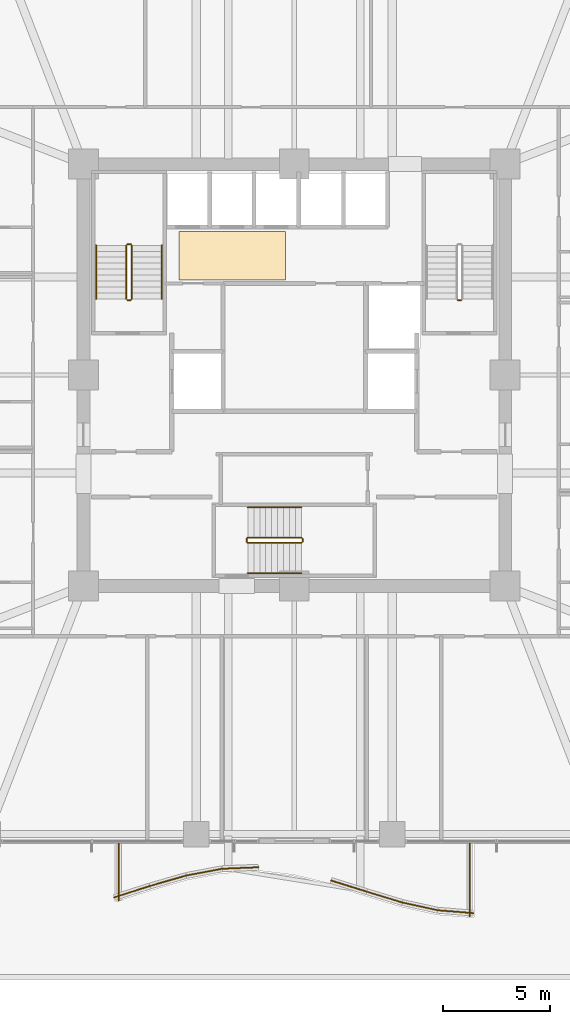
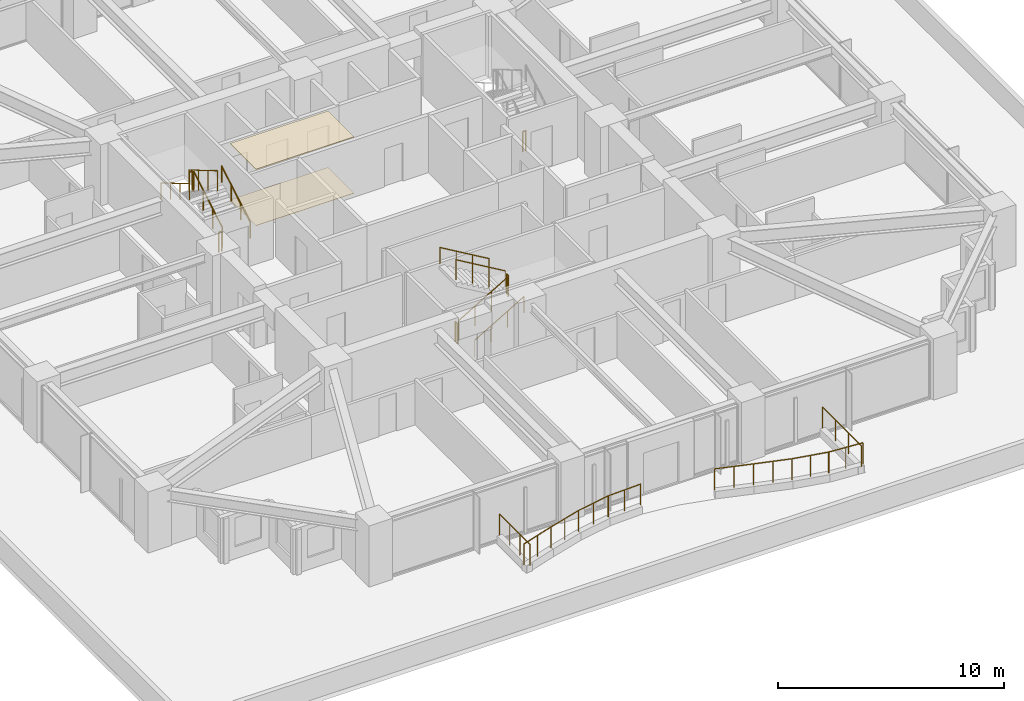
# One storey, part 35 of 36: 23 railings, 2 coverings.
"""IFC4 building model written with IfcOpenShell, lengths in metres."""

from ifc_helpers import new_model, si_unit, direction, frame, origin, origin_2d, place, context, subcontext, project, spatial, polyline, circle, outline, extrude, material, layer, layer_set, type_object, element, save


model = new_model("IFC4")

# Units and contexts
model_context = context("Model", 3, precision=1e-05, world=origin(), true_north=direction((0.0, 1.0)))
body_context = subcontext(model_context, "Body", "Model", "MODEL_VIEW")
ifc_project = project(units=[si_unit("LENGTHUNIT", "METRE"), si_unit("AREAUNIT", "SQUARE_METRE"), si_unit("VOLUMEUNIT", "CUBIC_METRE"), si_unit("PLANEANGLEUNIT", "RADIAN"), si_unit("MASSUNIT", "GRAM", prefix="KILO")], contexts=[model_context])

# Site, building, storey
site_placement = place(None, origin())
site = spatial("IfcSite", under=ifc_project, at=site_placement, CompositionType="ELEMENT")
building_placement = place(site_placement, origin())
building = spatial("IfcBuilding", under=site, at=building_placement, Name="Kolvaren Belvedere", CompositionType="ELEMENT")
storey_placement = place(building_placement, frame((0.0, 0.0, 23.800048828125)))
storey = spatial("IfcBuildingStorey", under=building, at=storey_placement, Name="L06", CompositionType="ELEMENT", Elevation=23.800048828125)

# Coverings
ifc_material_1 = material(Name="Acoustic perforated gypsum board", Category="gypsum")
ifc_layer_1 = layer(ifc_material_1, 0.02490234375)
ifc_layer_set_1 = layer_set([ifc_layer_1], Name="Acoustic perforated gypsum board")
covering_type_1 = type_object("IfcCoveringType", Name="COV-CEIL-GYP", PredefinedType="CEILING", material=ifc_layer_set_1)
covering_1_placement = place(storey_placement, frame((0.0, 0.0, 3.034912109375)))
element("IfcCovering", 1, at=covering_1_placement, inside=storey, type_object=covering_type_1, Name="L06 Lift Lobby Acoustic Baffle Ceiling", PredefinedType="CEILING", context=body_context, shape_type="SweptSolid", body=[
    extrude(outline(polyline([(-5.39990234375, 4.449951171875), (-0.39990234375, 4.449951171875), (-0.39990234375, 6.75), (-5.39990234375, 6.75), (-5.39990234375, 4.449951171875)])), origin(), (0.0, 0.0, 1.0), 0.025146484375),
])
ifc_material_2 = material(Name="Engineered Pacific white oak", Category="timber")
ifc_layer_2 = layer(ifc_material_2, 0.02001953125)
ifc_layer_set_2 = layer_set([ifc_layer_2], Name="Engineered Pacific white oak")
covering_type_2 = type_object("IfcCoveringType", Name="COV-FLR-OAK", PredefinedType="FLOORING", material=ifc_layer_set_2)
covering_2_placement = place(storey_placement, origin())
element("IfcCovering", 2, at=covering_2_placement, inside=storey, type_object=covering_type_2, Name="L06 Lift Lobby Finish Flooring", PredefinedType="FLOORING", context=body_context, shape_type="SweptSolid", body=[
    extrude(outline(polyline([(-5.39990234375, 4.449951171875), (-0.39990234375, 4.449951171875), (-0.39990234375, 6.75), (-5.39990234375, 6.75), (-5.39990234375, 4.449951171875)])), origin(), (0.0, 0.0, 1.0), 0.02001953125),
])

# Railings
ifc_material_3 = material(Name="Anodised pale-metal aluminium & laminated glass guard", Category="aluminium")
railing_type_1 = type_object("IfcRailingType", Name="RL-GUARD-1150", PredefinedType="GUARDRAIL", material=ifc_material_3)
railing_1_placement = place(storey_placement, frame((-8.448486328125, -24.521240234375, 0.35986328125)))
element("IfcRailing", 3, at=railing_1_placement, inside=storey, type_object=railing_type_1, Name="L06 Exterior Deck Safety Guard BAL-S-1", PredefinedType="GUARDRAIL", context=body_context, shape_type="SweptSolid", body=[
    extrude(circle(Radius=0.02392578125, at=origin_2d()), frame((0.0, 0.0, 1.1259765625), z_axis=(0.952661770826, 0.304032153573, 0.0), x_axis=(-0.304032153573, 0.952661770826, 0.0)), (0.0, 0.0, 1.0), 1.763427734375),
    extrude(circle(Radius=0.02099609375, at=origin_2d()), origin(), (0.0, 0.0, 1.0), 1.101806640625),
    extrude(circle(Radius=0.02099609375, at=origin_2d()), frame((0.83984375, 0.26806640625, 0.0)), (0.0, 0.0, 1.0), 1.101806640625),
    extrude(circle(Radius=0.02099609375, at=origin_2d()), frame((1.679931640625, 0.5361328125, 0.0)), (0.0, 0.0, 1.0), 1.101806640625),
])
railing_2_placement = place(storey_placement, frame((-6.764404296875, -23.98388671875, 0.35986328125)))
element("IfcRailing", 4, at=railing_2_placement, inside=storey, type_object=railing_type_1, Name="L06 Exterior Deck Safety Guard BAL-S-2", PredefinedType="GUARDRAIL", context=body_context, shape_type="SweptSolid", body=[
    extrude(circle(Radius=0.02392578125, at=origin_2d()), frame((0.0, 0.0, 1.1259765625), z_axis=(0.96059663827, 0.277946215201, 0.0), x_axis=(-0.277946215201, 0.96059663827, 0.0)), (0.0, 0.0, 1.0), 1.748779296875),
    extrude(circle(Radius=0.02099609375, at=origin_2d()), origin(), (0.0, 0.0, 1.0), 1.101806640625),
    extrude(circle(Radius=0.02099609375, at=origin_2d()), frame((0.83984375, 0.2431640625, 0.0)), (0.0, 0.0, 1.0), 1.101806640625),
    extrude(circle(Radius=0.02099609375, at=origin_2d()), frame((1.679931640625, 0.486083984375, 0.0)), (0.0, 0.0, 1.0), 1.101806640625),
])
railing_3_placement = place(storey_placement, frame((-5.069580078125, -23.494384765625, 0.35986328125)))
element("IfcRailing", 5, at=railing_3_placement, inside=storey, type_object=railing_type_1, Name="L06 Exterior Deck Safety Guard BAL-S-3", PredefinedType="GUARDRAIL", context=body_context, shape_type="SweptSolid", body=[
    extrude(circle(Radius=0.02392578125, at=origin_2d()), frame((0.0, 0.0, 1.1259765625), z_axis=(0.982799348901, 0.18467658162, 0.0), x_axis=(-0.18467658162, 0.982799348901, 0.0)), (0.0, 0.0, 1.0), 1.709228515625),
    extrude(circle(Radius=0.02099609375, at=origin_2d()), origin(), (0.0, 0.0, 1.0), 1.101806640625),
    extrude(circle(Radius=0.02099609375, at=origin_2d()), frame((0.83984375, 0.15771484375, 0.0)), (0.0, 0.0, 1.0), 1.101806640625),
    extrude(circle(Radius=0.02099609375, at=origin_2d()), frame((1.679931640625, 0.315673828125, 0.0)), (0.0, 0.0, 1.0), 1.101806640625),
])
railing_4_placement = place(storey_placement, frame((-3.366455078125, -23.17578125, 0.35986328125)))
element("IfcRailing", 6, at=railing_4_placement, inside=storey, type_object=railing_type_1, Name="L06 Exterior Deck Safety Guard BAL-S-4", PredefinedType="GUARDRAIL", context=body_context, shape_type="SweptSolid", body=[
    extrude(circle(Radius=0.02392578125, at=origin_2d()), frame((0.0, 0.0, 1.1259765625), z_axis=(0.999202581436, 0.039927449854, 0.0), x_axis=(-0.039927449854, 0.999202581436, 0.0)), (0.0, 0.0, 1.0), 1.681396484375),
    extrude(circle(Radius=0.02099609375, at=origin_2d()), origin(), (0.0, 0.0, 1.0), 1.101806640625),
    extrude(circle(Radius=0.02099609375, at=origin_2d()), frame((0.840087890625, 0.03369140625, 0.0)), (0.0, 0.0, 1.0), 1.101806640625),
    extrude(circle(Radius=0.02099609375, at=origin_2d()), frame((1.68017578125, 0.067138671875, 0.0)), (0.0, 0.0, 1.0), 1.101806640625),
])
railing_5_placement = place(storey_placement, frame((1.727783203125, -23.7275390625, 0.35986328125)))
element("IfcRailing", 7, at=railing_5_placement, inside=storey, type_object=railing_type_1, Name="L06 Exterior Deck Safety Guard BAL-S-7", PredefinedType="GUARDRAIL", context=body_context, shape_type="SweptSolid", body=[
    extrude(circle(Radius=0.02392578125, at=origin_2d()), frame((0.0, 0.0, 1.1259765625), z_axis=(0.954069594374, -0.299585061529, 0.0), x_axis=(0.299585061529, 0.954069594374, 0.0)), (0.0, 0.0, 1.0), 1.760986328125),
    extrude(circle(Radius=0.02099609375, at=origin_2d()), origin(), (0.0, 0.0, 1.0), 1.101806640625),
    extrude(circle(Radius=0.02099609375, at=origin_2d()), frame((0.840087890625, -0.263671875, 0.0)), (0.0, 0.0, 1.0), 1.101806640625),
    extrude(circle(Radius=0.02099609375, at=origin_2d()), frame((1.68017578125, -0.527587890625, 0.0)), (0.0, 0.0, 1.0), 1.101806640625),
])
railing_6_placement = place(storey_placement, frame((3.406494140625, -24.254638671875, 0.35986328125)))
element("IfcRailing", 8, at=railing_6_placement, inside=storey, type_object=railing_type_1, Name="L06 Exterior Deck Safety Guard BAL-S-8", PredefinedType="GUARDRAIL", context=body_context, shape_type="SweptSolid", body=[
    extrude(circle(Radius=0.02392578125, at=origin_2d()), frame((0.0, 0.0, 1.1259765625), z_axis=(0.956732787823, -0.290967992577, 0.0), x_axis=(0.290967992577, 0.956732787823, 0.0)), (0.0, 0.0, 1.0), 1.756103515625),
    extrude(circle(Radius=0.02099609375, at=origin_2d()), origin(), (0.0, 0.0, 1.0), 1.101806640625),
    extrude(circle(Radius=0.02099609375, at=origin_2d()), frame((0.840087890625, -0.25537109375, 0.0)), (0.0, 0.0, 1.0), 1.101806640625),
    extrude(circle(Radius=0.02099609375, at=origin_2d()), frame((1.68017578125, -0.510986328125, 0.0)), (0.0, 0.0, 1.0), 1.101806640625),
])
railing_7_placement = place(storey_placement, frame((5.07421875, -24.762451171875, 0.35986328125)))
element("IfcRailing", 9, at=railing_7_placement, inside=storey, type_object=railing_type_1, Name="L06 Exterior Deck Safety Guard BAL-S-9", PredefinedType="GUARDRAIL", context=body_context, shape_type="SweptSolid", body=[
    extrude(circle(Radius=0.02392578125, at=origin_2d()), frame((0.0, 0.0, 1.1259765625), z_axis=(0.976876857632, -0.213802724545, 0.0), x_axis=(0.213802724545, 0.976876857632, 0.0)), (0.0, 0.0, 1.0), 1.7197265625),
    extrude(circle(Radius=0.02099609375, at=origin_2d()), origin(), (0.0, 0.0, 1.0), 1.101806640625),
    extrude(circle(Radius=0.02099609375, at=origin_2d()), frame((0.83984375, -0.183837890625, 0.0)), (0.0, 0.0, 1.0), 1.101806640625),
    extrude(circle(Radius=0.02099609375, at=origin_2d()), frame((1.679931640625, -0.36767578125, 0.0)), (0.0, 0.0, 1.0), 1.101806640625),
])
railing_8_placement = place(storey_placement, frame((6.732666015625, -25.126953125, 0.35986328125)))
element("IfcRailing", 10, at=railing_8_placement, inside=storey, type_object=railing_type_1, Name="L06 Exterior Deck Safety Guard BAL-S-10", PredefinedType="GUARDRAIL", context=body_context, shape_type="SweptSolid", body=[
    extrude(circle(Radius=0.02392578125, at=origin_2d()), frame((0.0, 0.0, 1.1259765625), z_axis=(0.99685522818, -0.079244268248, 0.0), x_axis=(0.079244268248, 0.99685522818, 0.0)), (0.0, 0.0, 1.0), 1.685302734375),
    extrude(circle(Radius=0.02099609375, at=origin_2d()), origin(), (0.0, 0.0, 1.0), 1.101806640625),
    extrude(circle(Radius=0.02099609375, at=origin_2d()), frame((0.83984375, -0.06689453125, 0.0)), (0.0, 0.0, 1.0), 1.101806640625),
    extrude(circle(Radius=0.02099609375, at=origin_2d()), frame((1.679931640625, -0.133544921875, 0.0)), (0.0, 0.0, 1.0), 1.101806640625),
])
railing_9_placement = place(storey_placement, frame((8.239990234375, -25.419921875, 0.35986328125)))
element("IfcRailing", 11, at=railing_9_placement, inside=storey, type_object=railing_type_1, Name="L06 Exterior Deck Safety Guard BAL-S-11", PredefinedType="GUARDRAIL", context=body_context, shape_type="SweptSolid", body=[
    extrude(circle(Radius=0.02392578125, at=origin_2d()), frame((0.0, 0.0, 1.1259765625), z_axis=(0.0, 1.0, 0.0), x_axis=(-1.0, 0.0, 0.0)), (0.0, 0.0, 1.0), 3.419921875),
    extrude(circle(Radius=0.02099609375, at=origin_2d()), origin(), (0.0, 0.0, 1.0), 1.101806640625),
    extrude(circle(Radius=0.02099609375, at=origin_2d()), frame((0.0, 1.139892578125, 0.0)), (0.0, 0.0, 1.0), 1.101806640625),
    extrude(circle(Radius=0.02099609375, at=origin_2d()), frame((0.0, 2.280029296875, 0.0)), (0.0, 0.0, 1.0), 1.101806640625),
    extrude(circle(Radius=0.02099609375, at=origin_2d()), frame((0.0, 3.419921875, 0.0)), (0.0, 0.0, 1.0), 1.101806640625),
])
railing_10_placement = place(storey_placement, frame((-8.239990234375, -22.0, 0.35986328125)))
element("IfcRailing", 12, at=railing_10_placement, inside=storey, type_object=railing_type_1, Name="L06 Exterior Deck Safety Guard BAL-S-22", PredefinedType="GUARDRAIL", context=body_context, shape_type="SweptSolid", body=[
    extrude(circle(Radius=0.02392578125, at=origin_2d()), frame((0.0, 0.0, 1.1259765625), z_axis=(0.0, -1.0, 0.0), x_axis=(1.0, 0.0, 0.0)), (0.0, 0.0, 1.0), 2.673583984375),
    extrude(circle(Radius=0.02099609375, at=origin_2d()), origin(), (0.0, 0.0, 1.0), 1.101806640625),
    extrude(circle(Radius=0.02099609375, at=origin_2d()), frame((0.0, -0.89111328125, 0.0)), (0.0, 0.0, 1.0), 1.101806640625),
    extrude(circle(Radius=0.02099609375, at=origin_2d()), frame((0.0, -1.782470703125, 0.0)), (0.0, 0.0, 1.0), 1.101806640625),
    extrude(circle(Radius=0.02099609375, at=origin_2d()), frame((0.0, -2.673583984375, 0.0)), (0.0, 0.0, 1.0), 1.101806640625),
])
ifc_material_4 = material(Name="Brushed stainless-steel handrail", Category="steel")
railing_type_2 = type_object("IfcRailingType", Name="RL-HANDRAIL-920", PredefinedType="HANDRAIL", material=ifc_material_4)
railing_11_placement = place(storey_placement, frame((-6.2099609375, 3.570068359375, 0.1650390625)))
element("IfcRailing", 13, at=railing_11_placement, inside=storey, type_object=railing_type_2, Name="L06 ST-1 stair handrail 1", PredefinedType="HANDRAIL", context=body_context, shape_type="SweptSolid", body=[
    extrude(circle(Radius=0.02392578125, at=origin_2d()), frame((0.0, 0.0, 0.8759765625), z_axis=(0.0, 0.861560626758, 0.507654692109), x_axis=(-1.0, 0.0, 0.0)), (0.0, 0.0, 1.0), 2.925048828125),
    extrude(circle(Radius=0.02099609375, at=origin_2d()), origin(), (0.0, 0.0, 1.0), 0.851806640625),
    extrude(circle(Radius=0.02099609375, at=origin_2d()), frame((0.0, 0.840087890625, 0.494873046875)), (0.0, 0.0, 1.0), 0.851806640625),
    extrude(circle(Radius=0.02099609375, at=origin_2d()), frame((0.0, 1.679931640625, 0.989990234375)), (0.0, 0.0, 1.0), 0.851806640625),
    extrude(circle(Radius=0.02099609375, at=origin_2d()), frame((0.0, 2.52001953125, 1.48486328125)), (0.0, 0.0, 1.0), 0.851806640625),
])
railing_12_placement = place(storey_placement, frame((-9.300048828125, 6.090087890625, 1.81494140625)))
element("IfcRailing", 14, at=railing_12_placement, inside=storey, type_object=railing_type_2, Name="L06 ST-1 stair handrail 2", PredefinedType="HANDRAIL", context=body_context, shape_type="SweptSolid", body=[
    extrude(circle(Radius=0.02392578125, at=origin_2d()), frame((0.0, 0.0, 0.8759765625), z_axis=(0.0, -0.86152411907, 0.507716645641), x_axis=(1.0, 0.0, 0.0)), (0.0, 0.0, 1.0), 2.925048828125),
    extrude(circle(Radius=0.02099609375, at=origin_2d()), origin(), (0.0, 0.0, 1.0), 0.851806640625),
    extrude(circle(Radius=0.02099609375, at=origin_2d()), frame((0.0, -0.840087890625, 0.4951171875)), (0.0, 0.0, 1.0), 0.851806640625),
    extrude(circle(Radius=0.02099609375, at=origin_2d()), frame((0.0, -1.679931640625, 0.989990234375)), (0.0, 0.0, 1.0), 0.851806640625),
    extrude(circle(Radius=0.02099609375, at=origin_2d()), frame((0.0, -2.52001953125, 1.485107421875)), (0.0, 0.0, 1.0), 0.851806640625),
])
railing_13_placement = place(storey_placement, frame((-2.179931640625, -9.300048828125, 0.1650390625)))
element("IfcRailing", 15, at=railing_13_placement, inside=storey, type_object=railing_type_2, Name="L06 ST-3 stair handrail 1", PredefinedType="HANDRAIL", context=body_context, shape_type="SweptSolid", body=[
    extrude(circle(Radius=0.02392578125, at=origin_2d()), frame((0.0, 0.0, 0.8759765625), z_axis=(0.861560626758, 0.0, 0.507654692109), x_axis=(0.0, 1.0, 0.0)), (0.0, 0.0, 1.0), 2.925048828125),
    extrude(circle(Radius=0.02099609375, at=origin_2d()), origin(), (0.0, 0.0, 1.0), 0.851806640625),
    extrude(circle(Radius=0.02099609375, at=origin_2d()), frame((0.840087890625, 0.0, 0.494873046875)), (0.0, 0.0, 1.0), 0.851806640625),
    extrude(circle(Radius=0.02099609375, at=origin_2d()), frame((1.679931640625, 0.0, 0.989990234375)), (0.0, 0.0, 1.0), 0.851806640625),
    extrude(circle(Radius=0.02099609375, at=origin_2d()), frame((2.52001953125, 0.0, 1.48486328125)), (0.0, 0.0, 1.0), 0.851806640625),
])
railing_14_placement = place(storey_placement, frame((0.340087890625, -6.2099609375, 1.81494140625)))
element("IfcRailing", 16, at=railing_14_placement, inside=storey, type_object=railing_type_2, Name="L06 ST-3 stair handrail 2", PredefinedType="HANDRAIL", context=body_context, shape_type="SweptSolid", body=[
    extrude(circle(Radius=0.02392578125, at=origin_2d()), frame((0.0, 0.0, 0.8759765625), z_axis=(-0.86152411907, 0.0, 0.507716645641), x_axis=(0.0, -1.0, 0.0)), (0.0, 0.0, 1.0), 2.925048828125),
    extrude(circle(Radius=0.02099609375, at=origin_2d()), origin(), (0.0, 0.0, 1.0), 0.851806640625),
    extrude(circle(Radius=0.02099609375, at=origin_2d()), frame((-0.840087890625, 0.0, 0.4951171875)), (0.0, 0.0, 1.0), 0.851806640625),
    extrude(circle(Radius=0.02099609375, at=origin_2d()), frame((-1.679931640625, 0.0, 0.989990234375)), (0.0, 0.0, 1.0), 0.851806640625),
    extrude(circle(Radius=0.02099609375, at=origin_2d()), frame((-2.52001953125, 0.0, 1.485107421875)), (0.0, 0.0, 1.0), 0.851806640625),
])
ifc_material_5 = material(Name="Painted tubular steel stair guard", Category="steel")
railing_type_3 = type_object("IfcRailingType", Name="RL-STGUARD-1100", PredefinedType="GUARDRAIL", material=ifc_material_5)
railing_15_placement = place(storey_placement, frame((-7.6298828125, 3.570068359375, 0.1650390625)))
element("IfcRailing", 17, at=railing_15_placement, inside=storey, type_object=railing_type_3, Name="L06 ST-1 stair guard 1", PredefinedType="GUARDRAIL", context=body_context, shape_type="SweptSolid", body=[
    extrude(circle(Radius=0.02392578125, at=origin_2d()), frame((0.0, 0.0, 1.076171875), z_axis=(0.0, 0.861560626758, 0.507654692109), x_axis=(-1.0, 0.0, 0.0)), (0.0, 0.0, 1.0), 2.925048828125),
    extrude(circle(Radius=0.02099609375, at=origin_2d()), origin(), (0.0, 0.0, 1.0), 1.052001953125),
    extrude(circle(Radius=0.02099609375, at=origin_2d()), frame((0.0, 0.840087890625, 0.494873046875)), (0.0, 0.0, 1.0), 1.052001953125),
    extrude(circle(Radius=0.02099609375, at=origin_2d()), frame((0.0, 1.679931640625, 0.989990234375)), (0.0, 0.0, 1.0), 1.052001953125),
    extrude(circle(Radius=0.02099609375, at=origin_2d()), frame((0.0, 2.52001953125, 1.48486328125)), (0.0, 0.0, 1.0), 1.052001953125),
])
railing_16_placement = place(storey_placement, frame((-7.679931640625, 6.139892578125, 1.64990234375)))
element("IfcRailing", 18, at=railing_16_placement, inside=storey, type_object=railing_type_3, Name="L06 ST-1 stair guard 2", PredefinedType="GUARDRAIL", context=body_context, shape_type="SweptSolid", body=[
    extrude(circle(Radius=0.02392578125, at=origin_2d()), frame((0.0, 0.0, 1.076171875), z_axis=(-1.0, 0.0, 0.0), x_axis=(0.0, -1.0, 0.0)), (0.0, 0.0, 1.0), 0.150146484375),
    extrude(circle(Radius=0.02099609375, at=origin_2d()), origin(), (0.0, 0.0, 1.0), 1.052001953125),
    extrude(circle(Radius=0.02099609375, at=origin_2d()), frame((-0.150146484375, 0.0, 0.0)), (0.0, 0.0, 1.0), 1.052001953125),
])
railing_17_placement = place(storey_placement, frame((-7.8798828125, 6.090087890625, 1.81494140625)))
element("IfcRailing", 19, at=railing_17_placement, inside=storey, type_object=railing_type_3, Name="L06 ST-1 stair guard 3", PredefinedType="GUARDRAIL", context=body_context, shape_type="SweptSolid", body=[
    extrude(circle(Radius=0.02392578125, at=origin_2d()), frame((0.0, 0.0, 1.076171875), z_axis=(0.0, -0.86152411907, 0.507716645641), x_axis=(1.0, 0.0, 0.0)), (0.0, 0.0, 1.0), 2.925048828125),
    extrude(circle(Radius=0.02099609375, at=origin_2d()), origin(), (0.0, 0.0, 1.0), 1.052001953125),
    extrude(circle(Radius=0.02099609375, at=origin_2d()), frame((0.0, -0.840087890625, 0.4951171875)), (0.0, 0.0, 1.0), 1.052001953125),
    extrude(circle(Radius=0.02099609375, at=origin_2d()), frame((0.0, -1.679931640625, 0.989990234375)), (0.0, 0.0, 1.0), 1.052001953125),
    extrude(circle(Radius=0.02099609375, at=origin_2d()), frame((0.0, -2.52001953125, 1.485107421875)), (0.0, 0.0, 1.0), 1.052001953125),
])
for number, where, name in (
    (20, (-7.679931640625, 3.52001953125, 0.0), "L06 ST-1 stair guard 4"),
    (21, (7.830078125, 3.52001953125, 0.0), "L06 ST-2 stair guard 4"),
):
    element("IfcRailing", number, at=place(storey_placement, frame(where)), inside=storey, type_object=railing_type_3, Name=name, PredefinedType="GUARDRAIL", context=body_context, shape_type="SweptSolid", body=[
        extrude(circle(Radius=0.02392578125, at=origin_2d()), frame((0.0, 0.0, 1.076171875), z_axis=(-1.0, 0.0, 0.0), x_axis=(0.0, -1.0, 0.0)), (0.0, 0.0, 1.0), 0.150146484375),
        extrude(circle(Radius=0.02099609375, at=origin_2d()), origin(), (0.0, 0.0, 1.0), 1.052001953125),
        extrude(circle(Radius=0.02099609375, at=origin_2d()), frame((-0.150146484375, 0.0, 0.0)), (0.0, 0.0, 1.0), 1.052001953125),
    ])
railing_18_placement = place(storey_placement, frame((-2.179931640625, -7.8798828125, 0.1650390625)))
element("IfcRailing", 22, at=railing_18_placement, inside=storey, type_object=railing_type_3, Name="L06 ST-3 stair guard 1", PredefinedType="GUARDRAIL", context=body_context, shape_type="SweptSolid", body=[
    extrude(circle(Radius=0.02392578125, at=origin_2d()), frame((0.0, 0.0, 1.076171875), z_axis=(0.861560626758, 0.0, 0.507654692109), x_axis=(0.0, 1.0, 0.0)), (0.0, 0.0, 1.0), 2.925048828125),
    extrude(circle(Radius=0.02099609375, at=origin_2d()), origin(), (0.0, 0.0, 1.0), 1.052001953125),
    extrude(circle(Radius=0.02099609375, at=origin_2d()), frame((0.840087890625, 0.0, 0.494873046875)), (0.0, 0.0, 1.0), 1.052001953125),
    extrude(circle(Radius=0.02099609375, at=origin_2d()), frame((1.679931640625, 0.0, 0.989990234375)), (0.0, 0.0, 1.0), 1.052001953125),
    extrude(circle(Radius=0.02099609375, at=origin_2d()), frame((2.52001953125, 0.0, 1.48486328125)), (0.0, 0.0, 1.0), 1.052001953125),
])
railing_19_placement = place(storey_placement, frame((0.389892578125, -7.830078125, 1.64990234375)))
element("IfcRailing", 23, at=railing_19_placement, inside=storey, type_object=railing_type_3, Name="L06 ST-3 stair guard 2", PredefinedType="GUARDRAIL", context=body_context, shape_type="SweptSolid", body=[
    extrude(circle(Radius=0.02392578125, at=origin_2d()), frame((0.0, 0.0, 1.076171875), z_axis=(0.0, 1.0, 0.0), x_axis=(-1.0, 0.0, 0.0)), (0.0, 0.0, 1.0), 0.150146484375),
    extrude(circle(Radius=0.02099609375, at=origin_2d()), origin(), (0.0, 0.0, 1.0), 1.052001953125),
    extrude(circle(Radius=0.02099609375, at=origin_2d()), frame((0.0, 0.150146484375, 0.0)), (0.0, 0.0, 1.0), 1.052001953125),
])
railing_20_placement = place(storey_placement, frame((0.340087890625, -7.6298828125, 1.81494140625)))
element("IfcRailing", 24, at=railing_20_placement, inside=storey, type_object=railing_type_3, Name="L06 ST-3 stair guard 3", PredefinedType="GUARDRAIL", context=body_context, shape_type="SweptSolid", body=[
    extrude(circle(Radius=0.02392578125, at=origin_2d()), frame((0.0, 0.0, 1.076171875), z_axis=(-0.86152411907, 0.0, 0.507716645641), x_axis=(0.0, -1.0, 0.0)), (0.0, 0.0, 1.0), 2.925048828125),
    extrude(circle(Radius=0.02099609375, at=origin_2d()), origin(), (0.0, 0.0, 1.0), 1.052001953125),
    extrude(circle(Radius=0.02099609375, at=origin_2d()), frame((-0.840087890625, 0.0, 0.4951171875)), (0.0, 0.0, 1.0), 1.052001953125),
    extrude(circle(Radius=0.02099609375, at=origin_2d()), frame((-1.679931640625, 0.0, 0.989990234375)), (0.0, 0.0, 1.0), 1.052001953125),
    extrude(circle(Radius=0.02099609375, at=origin_2d()), frame((-2.52001953125, 0.0, 1.485107421875)), (0.0, 0.0, 1.0), 1.052001953125),
])
railing_21_placement = place(storey_placement, frame((-2.22998046875, -7.830078125, 0.0)))
element("IfcRailing", 25, at=railing_21_placement, inside=storey, type_object=railing_type_3, Name="L06 ST-3 stair guard 4", PredefinedType="GUARDRAIL", context=body_context, shape_type="SweptSolid", body=[
    extrude(circle(Radius=0.02392578125, at=origin_2d()), frame((0.0, 0.0, 1.076171875), z_axis=(0.0, 1.0, 0.0), x_axis=(-1.0, 0.0, 0.0)), (0.0, 0.0, 1.0), 0.150146484375),
    extrude(circle(Radius=0.02099609375, at=origin_2d()), origin(), (0.0, 0.0, 1.0), 1.052001953125),
    extrude(circle(Radius=0.02099609375, at=origin_2d()), frame((0.0, 0.150146484375, 0.0)), (0.0, 0.0, 1.0), 1.052001953125),
])

save(model, "model.ifc")
